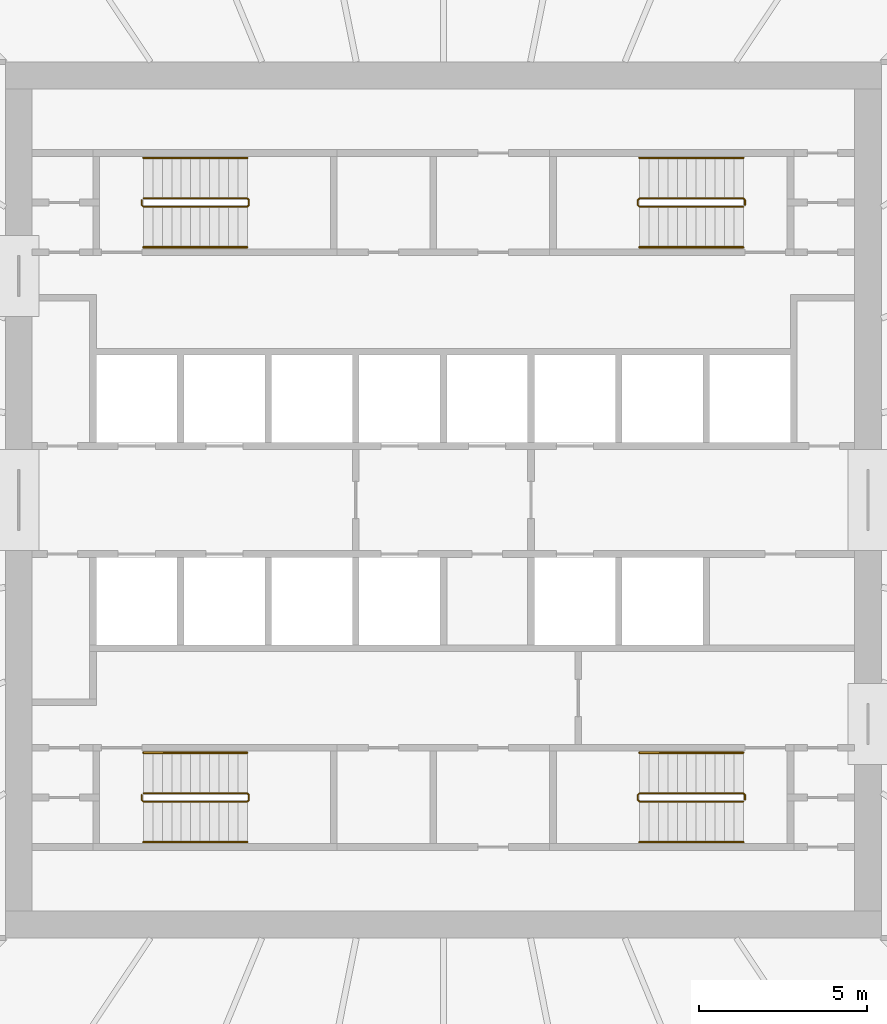
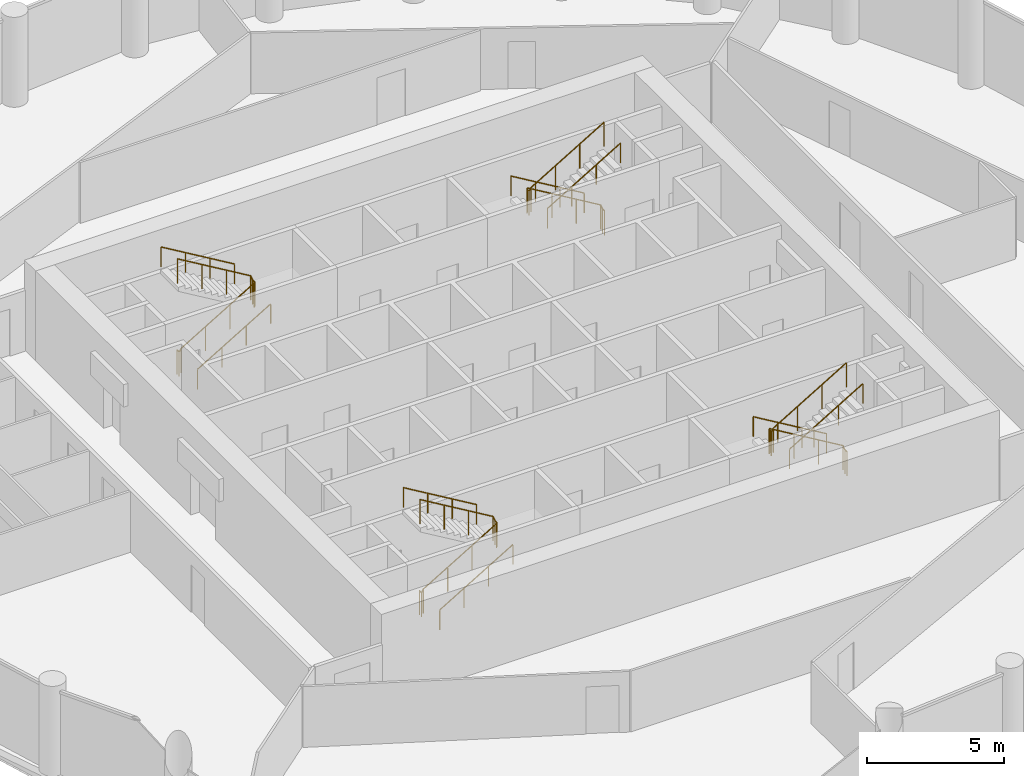
# One storey, part 8 of 8: 12 railings.
"""IFC4 building model written with IfcOpenShell, lengths in metres."""

from ifc_helpers import new_model, si_unit, direction, frame, origin, origin_2d, place, context, subcontext, project, spatial, circle, extrude, material, type_object, element, save


model = new_model("IFC4")

# Units and contexts
model_context = context("Model", 3, precision=1e-05, world=origin(), true_north=direction((0.0, 1.0)))
body_context = subcontext(model_context, "Body", "Model", "MODEL_VIEW")
ifc_project = project(units=[si_unit("LENGTHUNIT", "METRE"), si_unit("AREAUNIT", "SQUARE_METRE"), si_unit("VOLUMEUNIT", "CUBIC_METRE"), si_unit("PLANEANGLEUNIT", "RADIAN"), si_unit("MASSUNIT", "GRAM", prefix="KILO")], contexts=[model_context])

# Site, building, storey
site_placement = place(None, origin())
site = spatial("IfcSite", under=ifc_project, at=site_placement, CompositionType="ELEMENT")
building_placement = place(site_placement, origin())
building = spatial("IfcBuilding", under=site, at=building_placement, Name="Corvane Civic Tower", CompositionType="ELEMENT")
storey_placement = place(building_placement, frame((0.0, 0.0, 237.5)))
storey = spatial("IfcBuildingStorey", under=building, at=storey_placement, Name="L56", CompositionType="ELEMENT", Elevation=237.5)

# Railings
ifc_material_1 = material(Name="Steel ASTM A572 Gr 50", Category="steel")
railing_type_1 = type_object("IfcRailingType", Name="ST-GUARD-1100", PredefinedType="GUARDRAIL", material=ifc_material_1)
railing_1_placement = place(storey_placement, frame((8.949951171875, 8.75, 0.0)))
element("IfcRailing", 1, at=railing_1_placement, inside=storey, type_object=railing_type_1, Name="L56 ST1 stair guard 1", PredefinedType="GUARDRAIL", context=body_context, shape_type="SweptSolid", body=[
    extrude(circle(Radius=0.02392578125, at=origin_2d()), frame((0.0, 0.0, 1.076171875), z_axis=(0.0, 1.0, 0.0), x_axis=(-1.0, 0.0, 0.0)), (0.0, 0.0, 1.0), 0.14990234375),
    extrude(circle(Radius=0.02392578125, at=origin_2d()), frame((0.0, 0.14990234375, 1.076171875), z_axis=(-0.27628659633, 0.27628659633, 0.920506074601), x_axis=(-0.707106781187, -0.707106781187, 0.0)), (0.0, 0.0, 1.0), 0.18115234375),
    extrude(circle(Radius=0.02392578125, at=origin_2d()), frame((-0.050048828125, 0.199951171875, 1.24267578125), z_axis=(-0.859290745958, 0.0, 0.51148745235), x_axis=(0.0, -1.0, 0.0)), (0.0, 0.0, 1.0), 3.584228515625),
    extrude(circle(Radius=0.02392578125, at=origin_2d()), frame((-3.1298828125, 0.199951171875, 3.076171875), z_axis=(-0.707106781187, -0.707106781187, 0.0), x_axis=(0.707106781187, -0.707106781187, 0.0)), (0.0, 0.0, 1.0), 0.07080078125),
    extrude(circle(Radius=0.02392578125, at=origin_2d()), frame((-3.179931640625, 0.14990234375, 3.076171875), z_axis=(0.0, -1.0, 0.0), x_axis=(1.0, 0.0, 0.0)), (0.0, 0.0, 1.0), 0.14990234375),
    extrude(circle(Radius=0.02392578125, at=origin_2d()), frame((-3.179931640625, 0.0, 3.076171875), z_axis=(0.27628659633, -0.27628659633, 0.920506074601), x_axis=(0.707106781187, 0.707106781187, 0.0)), (0.0, 0.0, 1.0), 0.18115234375),
    extrude(circle(Radius=0.02392578125, at=origin_2d()), frame((-3.1298828125, -0.050048828125, 3.24267578125), z_axis=(0.859290745958, 0.0, 0.51148745235), x_axis=(0.0, 1.0, 0.0)), (0.0, 0.0, 1.0), 3.584228515625),
    extrude(circle(Radius=0.02099609375, at=origin_2d()), origin(), (0.0, 0.0, 1.0), 1.052001953125),
    extrude(circle(Radius=0.02099609375, at=origin_2d()), frame((0.0, 0.14990234375, 0.0)), (0.0, 0.0, 1.0), 1.052001953125),
    extrude(circle(Radius=0.02099609375, at=origin_2d()), frame((-0.050048828125, 0.199951171875, 0.166748046875)), (0.0, 0.0, 1.0), 1.052001953125),
    extrude(circle(Radius=0.02099609375, at=origin_2d()), frame((-1.07666015625, 0.199951171875, 0.77783203125)), (0.0, 0.0, 1.0), 1.052001953125),
    extrude(circle(Radius=0.02099609375, at=origin_2d()), frame((-2.103271484375, 0.199951171875, 1.388916015625)), (0.0, 0.0, 1.0), 1.052001953125),
    extrude(circle(Radius=0.02099609375, at=origin_2d()), frame((-3.1298828125, 0.199951171875, 2.0)), (0.0, 0.0, 1.0), 1.052001953125),
    extrude(circle(Radius=0.02099609375, at=origin_2d()), frame((-3.179931640625, 0.14990234375, 2.0)), (0.0, 0.0, 1.0), 1.052001953125),
    extrude(circle(Radius=0.02099609375, at=origin_2d()), frame((-3.179931640625, 0.0, 2.0)), (0.0, 0.0, 1.0), 1.052001953125),
    extrude(circle(Radius=0.02099609375, at=origin_2d()), frame((-3.1298828125, -0.050048828125, 2.166748046875)), (0.0, 0.0, 1.0), 1.052001953125),
    extrude(circle(Radius=0.02099609375, at=origin_2d()), frame((-2.103271484375, -0.050048828125, 2.77783203125)), (0.0, 0.0, 1.0), 1.052001953125),
    extrude(circle(Radius=0.02099609375, at=origin_2d()), frame((-1.07666015625, -0.050048828125, 3.388916015625)), (0.0, 0.0, 1.0), 1.052001953125),
    extrude(circle(Radius=0.02099609375, at=origin_2d()), frame((-0.050048828125, -0.050048828125, 4.0)), (0.0, 0.0, 1.0), 1.052001953125),
])
railing_2_placement = place(storey_placement, frame((8.949951171875, -8.89990234375, 0.0)))
element("IfcRailing", 2, at=railing_2_placement, inside=storey, type_object=railing_type_1, Name="L56 ST2 stair guard 1", PredefinedType="GUARDRAIL", context=body_context, shape_type="SweptSolid", body=[
    extrude(circle(Radius=0.02392578125, at=origin_2d()), frame((0.0, 0.0, 1.076171875), z_axis=(0.0, 1.0, 0.0), x_axis=(-1.0, 0.0, 0.0)), (0.0, 0.0, 1.0), 0.14990234375),
    extrude(circle(Radius=0.02392578125, at=origin_2d()), frame((0.0, 0.14990234375, 1.076171875), z_axis=(-0.27628659633, 0.27628659633, 0.920506074601), x_axis=(-0.707106781187, -0.707106781187, 0.0)), (0.0, 0.0, 1.0), 0.18115234375),
    extrude(circle(Radius=0.02392578125, at=origin_2d()), frame((-0.050048828125, 0.199951171875, 1.24267578125), z_axis=(-0.859290745958, 0.0, 0.51148745235), x_axis=(0.0, -1.0, 0.0)), (0.0, 0.0, 1.0), 3.584228515625),
    extrude(circle(Radius=0.02392578125, at=origin_2d()), frame((-3.1298828125, 0.199951171875, 3.076171875), z_axis=(-0.707106781187, -0.707106781187, 0.0), x_axis=(0.707106781187, -0.707106781187, 0.0)), (0.0, 0.0, 1.0), 0.07080078125),
    extrude(circle(Radius=0.02392578125, at=origin_2d()), frame((-3.179931640625, 0.14990234375, 3.076171875), z_axis=(0.0, -1.0, 0.0), x_axis=(1.0, 0.0, 0.0)), (0.0, 0.0, 1.0), 0.14990234375),
    extrude(circle(Radius=0.02392578125, at=origin_2d()), frame((-3.179931640625, 0.0, 3.076171875), z_axis=(0.27628659633, -0.27628659633, 0.920506074601), x_axis=(0.707106781187, 0.707106781187, 0.0)), (0.0, 0.0, 1.0), 0.18115234375),
    extrude(circle(Radius=0.02392578125, at=origin_2d()), frame((-3.1298828125, -0.050048828125, 3.24267578125), z_axis=(0.859290745958, 0.0, 0.51148745235), x_axis=(0.0, 1.0, 0.0)), (0.0, 0.0, 1.0), 3.584228515625),
    extrude(circle(Radius=0.02099609375, at=origin_2d()), origin(), (0.0, 0.0, 1.0), 1.052001953125),
    extrude(circle(Radius=0.02099609375, at=origin_2d()), frame((0.0, 0.14990234375, 0.0)), (0.0, 0.0, 1.0), 1.052001953125),
    extrude(circle(Radius=0.02099609375, at=origin_2d()), frame((-0.050048828125, 0.199951171875, 0.166748046875)), (0.0, 0.0, 1.0), 1.052001953125),
    extrude(circle(Radius=0.02099609375, at=origin_2d()), frame((-1.07666015625, 0.199951171875, 0.77783203125)), (0.0, 0.0, 1.0), 1.052001953125),
    extrude(circle(Radius=0.02099609375, at=origin_2d()), frame((-2.103271484375, 0.199951171875, 1.388916015625)), (0.0, 0.0, 1.0), 1.052001953125),
    extrude(circle(Radius=0.02099609375, at=origin_2d()), frame((-3.1298828125, 0.199951171875, 2.0)), (0.0, 0.0, 1.0), 1.052001953125),
    extrude(circle(Radius=0.02099609375, at=origin_2d()), frame((-3.179931640625, 0.14990234375, 2.0)), (0.0, 0.0, 1.0), 1.052001953125),
    extrude(circle(Radius=0.02099609375, at=origin_2d()), frame((-3.179931640625, 0.0, 2.0)), (0.0, 0.0, 1.0), 1.052001953125),
    extrude(circle(Radius=0.02099609375, at=origin_2d()), frame((-3.1298828125, -0.050048828125, 2.166748046875)), (0.0, 0.0, 1.0), 1.052001953125),
    extrude(circle(Radius=0.02099609375, at=origin_2d()), frame((-2.103271484375, -0.050048828125, 2.77783203125)), (0.0, 0.0, 1.0), 1.052001953125),
    extrude(circle(Radius=0.02099609375, at=origin_2d()), frame((-1.07666015625, -0.050048828125, 3.388916015625)), (0.0, 0.0, 1.0), 1.052001953125),
    extrude(circle(Radius=0.02099609375, at=origin_2d()), frame((-0.050048828125, -0.050048828125, 4.0)), (0.0, 0.0, 1.0), 1.052001953125),
])
railing_3_placement = place(storey_placement, frame((-8.949951171875, -8.75, 0.0)))
element("IfcRailing", 3, at=railing_3_placement, inside=storey, type_object=railing_type_1, Name="L56 ST3 stair guard 1", PredefinedType="GUARDRAIL", context=body_context, shape_type="SweptSolid", body=[
    extrude(circle(Radius=0.02392578125, at=origin_2d()), frame((0.0, 0.0, 1.076171875), z_axis=(0.0, -1.0, 0.0), x_axis=(1.0, 0.0, 0.0)), (0.0, 0.0, 1.0), 0.14990234375),
    extrude(circle(Radius=0.02392578125, at=origin_2d()), frame((0.0, -0.14990234375, 1.076171875), z_axis=(0.27628659633, -0.27628659633, 0.920506074601), x_axis=(0.707106781187, 0.707106781187, 0.0)), (0.0, 0.0, 1.0), 0.18115234375),
    extrude(circle(Radius=0.02392578125, at=origin_2d()), frame((0.050048828125, -0.199951171875, 1.24267578125), z_axis=(0.859290745958, 0.0, 0.51148745235), x_axis=(0.0, 1.0, 0.0)), (0.0, 0.0, 1.0), 3.584228515625),
    extrude(circle(Radius=0.02392578125, at=origin_2d()), frame((3.1298828125, -0.199951171875, 3.076171875), z_axis=(0.707106781187, 0.707106781187, 0.0), x_axis=(-0.707106781187, 0.707106781187, 0.0)), (0.0, 0.0, 1.0), 0.07080078125),
    extrude(circle(Radius=0.02392578125, at=origin_2d()), frame((3.179931640625, -0.14990234375, 3.076171875), z_axis=(0.0, 1.0, 0.0), x_axis=(-1.0, 0.0, 0.0)), (0.0, 0.0, 1.0), 0.14990234375),
    extrude(circle(Radius=0.02392578125, at=origin_2d()), frame((3.179931640625, 0.0, 3.076171875), z_axis=(-0.27628659633, 0.27628659633, 0.920506074601), x_axis=(-0.707106781187, -0.707106781187, 0.0)), (0.0, 0.0, 1.0), 0.18115234375),
    extrude(circle(Radius=0.02392578125, at=origin_2d()), frame((3.1298828125, 0.050048828125, 3.24267578125), z_axis=(-0.859290745958, 0.0, 0.51148745235), x_axis=(0.0, -1.0, 0.0)), (0.0, 0.0, 1.0), 3.584228515625),
    extrude(circle(Radius=0.02099609375, at=origin_2d()), origin(), (0.0, 0.0, 1.0), 1.052001953125),
    extrude(circle(Radius=0.02099609375, at=origin_2d()), frame((0.0, -0.14990234375, 0.0)), (0.0, 0.0, 1.0), 1.052001953125),
    extrude(circle(Radius=0.02099609375, at=origin_2d()), frame((0.050048828125, -0.199951171875, 0.166748046875)), (0.0, 0.0, 1.0), 1.052001953125),
    extrude(circle(Radius=0.02099609375, at=origin_2d()), frame((1.07666015625, -0.199951171875, 0.77783203125)), (0.0, 0.0, 1.0), 1.052001953125),
    extrude(circle(Radius=0.02099609375, at=origin_2d()), frame((2.103271484375, -0.199951171875, 1.388916015625)), (0.0, 0.0, 1.0), 1.052001953125),
    extrude(circle(Radius=0.02099609375, at=origin_2d()), frame((3.1298828125, -0.199951171875, 2.0)), (0.0, 0.0, 1.0), 1.052001953125),
    extrude(circle(Radius=0.02099609375, at=origin_2d()), frame((3.179931640625, -0.14990234375, 2.0)), (0.0, 0.0, 1.0), 1.052001953125),
    extrude(circle(Radius=0.02099609375, at=origin_2d()), frame((3.179931640625, 0.0, 2.0)), (0.0, 0.0, 1.0), 1.052001953125),
    extrude(circle(Radius=0.02099609375, at=origin_2d()), frame((3.1298828125, 0.050048828125, 2.166748046875)), (0.0, 0.0, 1.0), 1.052001953125),
    extrude(circle(Radius=0.02099609375, at=origin_2d()), frame((2.103271484375, 0.050048828125, 2.77783203125)), (0.0, 0.0, 1.0), 1.052001953125),
    extrude(circle(Radius=0.02099609375, at=origin_2d()), frame((1.07666015625, 0.050048828125, 3.388916015625)), (0.0, 0.0, 1.0), 1.052001953125),
    extrude(circle(Radius=0.02099609375, at=origin_2d()), frame((0.050048828125, 0.050048828125, 4.0)), (0.0, 0.0, 1.0), 1.052001953125),
])
railing_4_placement = place(storey_placement, frame((-8.949951171875, 8.89990234375, 0.0)))
element("IfcRailing", 4, at=railing_4_placement, inside=storey, type_object=railing_type_1, Name="L56 ST4 stair guard 1", PredefinedType="GUARDRAIL", context=body_context, shape_type="SweptSolid", body=[
    extrude(circle(Radius=0.02392578125, at=origin_2d()), frame((0.0, 0.0, 1.076171875), z_axis=(0.0, -1.0, 0.0), x_axis=(1.0, 0.0, 0.0)), (0.0, 0.0, 1.0), 0.14990234375),
    extrude(circle(Radius=0.02392578125, at=origin_2d()), frame((0.0, -0.14990234375, 1.076171875), z_axis=(0.27628659633, -0.27628659633, 0.920506074601), x_axis=(0.707106781187, 0.707106781187, 0.0)), (0.0, 0.0, 1.0), 0.18115234375),
    extrude(circle(Radius=0.02392578125, at=origin_2d()), frame((0.050048828125, -0.199951171875, 1.24267578125), z_axis=(0.859290745958, 0.0, 0.51148745235), x_axis=(0.0, 1.0, 0.0)), (0.0, 0.0, 1.0), 3.584228515625),
    extrude(circle(Radius=0.02392578125, at=origin_2d()), frame((3.1298828125, -0.199951171875, 3.076171875), z_axis=(0.707106781187, 0.707106781187, 0.0), x_axis=(-0.707106781187, 0.707106781187, 0.0)), (0.0, 0.0, 1.0), 0.07080078125),
    extrude(circle(Radius=0.02392578125, at=origin_2d()), frame((3.179931640625, -0.14990234375, 3.076171875), z_axis=(0.0, 1.0, 0.0), x_axis=(-1.0, 0.0, 0.0)), (0.0, 0.0, 1.0), 0.14990234375),
    extrude(circle(Radius=0.02392578125, at=origin_2d()), frame((3.179931640625, 0.0, 3.076171875), z_axis=(-0.27628659633, 0.27628659633, 0.920506074601), x_axis=(-0.707106781187, -0.707106781187, 0.0)), (0.0, 0.0, 1.0), 0.18115234375),
    extrude(circle(Radius=0.02392578125, at=origin_2d()), frame((3.1298828125, 0.050048828125, 3.24267578125), z_axis=(-0.859290745958, 0.0, 0.51148745235), x_axis=(0.0, -1.0, 0.0)), (0.0, 0.0, 1.0), 3.584228515625),
    extrude(circle(Radius=0.02099609375, at=origin_2d()), origin(), (0.0, 0.0, 1.0), 1.052001953125),
    extrude(circle(Radius=0.02099609375, at=origin_2d()), frame((0.0, -0.14990234375, 0.0)), (0.0, 0.0, 1.0), 1.052001953125),
    extrude(circle(Radius=0.02099609375, at=origin_2d()), frame((0.050048828125, -0.199951171875, 0.166748046875)), (0.0, 0.0, 1.0), 1.052001953125),
    extrude(circle(Radius=0.02099609375, at=origin_2d()), frame((1.07666015625, -0.199951171875, 0.77783203125)), (0.0, 0.0, 1.0), 1.052001953125),
    extrude(circle(Radius=0.02099609375, at=origin_2d()), frame((2.103271484375, -0.199951171875, 1.388916015625)), (0.0, 0.0, 1.0), 1.052001953125),
    extrude(circle(Radius=0.02099609375, at=origin_2d()), frame((3.1298828125, -0.199951171875, 2.0)), (0.0, 0.0, 1.0), 1.052001953125),
    extrude(circle(Radius=0.02099609375, at=origin_2d()), frame((3.179931640625, -0.14990234375, 2.0)), (0.0, 0.0, 1.0), 1.052001953125),
    extrude(circle(Radius=0.02099609375, at=origin_2d()), frame((3.179931640625, 0.0, 2.0)), (0.0, 0.0, 1.0), 1.052001953125),
    extrude(circle(Radius=0.02099609375, at=origin_2d()), frame((3.1298828125, 0.050048828125, 2.166748046875)), (0.0, 0.0, 1.0), 1.052001953125),
    extrude(circle(Radius=0.02099609375, at=origin_2d()), frame((2.103271484375, 0.050048828125, 2.77783203125)), (0.0, 0.0, 1.0), 1.052001953125),
    extrude(circle(Radius=0.02099609375, at=origin_2d()), frame((1.07666015625, 0.050048828125, 3.388916015625)), (0.0, 0.0, 1.0), 1.052001953125),
    extrude(circle(Radius=0.02099609375, at=origin_2d()), frame((0.050048828125, 0.050048828125, 4.0)), (0.0, 0.0, 1.0), 1.052001953125),
])
ifc_material_2 = material(Name="Steel ASTM A572 Gr 50", Category="steel")
railing_type_2 = type_object("IfcRailingType", Name="ST-HANDRAIL-900", PredefinedType="HANDRAIL", material=ifc_material_2)
railing_5_placement = place(storey_placement, frame((8.89990234375, 10.14990234375, 0.166748046875)))
element("IfcRailing", 5, at=railing_5_placement, inside=storey, type_object=railing_type_2, Name="L56 ST1 stair handrail 1", PredefinedType="HANDRAIL", context=body_context, shape_type="SweptSolid", body=[
    extrude(circle(Radius=0.02392578125, at=origin_2d()), frame((0.0, 0.0, 0.8759765625), z_axis=(-0.859290745958, 0.0, 0.51148745235), x_axis=(0.0, -1.0, 0.0)), (0.0, 0.0, 1.0), 3.584228515625),
    extrude(circle(Radius=0.02099609375, at=origin_2d()), origin(), (0.0, 0.0, 1.0), 0.851806640625),
    extrude(circle(Radius=0.02099609375, at=origin_2d()), frame((-1.026611328125, 0.0, 0.611083984375)), (0.0, 0.0, 1.0), 0.851806640625),
    extrude(circle(Radius=0.02099609375, at=origin_2d()), frame((-2.05322265625, 0.0, 1.22216796875)), (0.0, 0.0, 1.0), 0.851806640625),
    extrude(circle(Radius=0.02099609375, at=origin_2d()), frame((-3.079833984375, 0.0, 1.833251953125)), (0.0, 0.0, 1.0), 0.851806640625),
])
railing_6_placement = place(storey_placement, frame((5.820068359375, 7.5, 2.166748046875)))
element("IfcRailing", 6, at=railing_6_placement, inside=storey, type_object=railing_type_2, Name="L56 ST1 stair handrail 2", PredefinedType="HANDRAIL", context=body_context, shape_type="SweptSolid", body=[
    extrude(circle(Radius=0.02392578125, at=origin_2d()), frame((0.0, 0.0, 0.8759765625), z_axis=(0.859290745958, 0.0, 0.51148745235), x_axis=(0.0, 1.0, 0.0)), (0.0, 0.0, 1.0), 3.584228515625),
    extrude(circle(Radius=0.02099609375, at=origin_2d()), origin(), (0.0, 0.0, 1.0), 0.851806640625),
    extrude(circle(Radius=0.02099609375, at=origin_2d()), frame((1.026611328125, 0.0, 0.611083984375)), (0.0, 0.0, 1.0), 0.851806640625),
    extrude(circle(Radius=0.02099609375, at=origin_2d()), frame((2.05322265625, 0.0, 1.22216796875)), (0.0, 0.0, 1.0), 0.851806640625),
    extrude(circle(Radius=0.02099609375, at=origin_2d()), frame((3.079833984375, 0.0, 1.833251953125)), (0.0, 0.0, 1.0), 0.851806640625),
])
railing_7_placement = place(storey_placement, frame((8.89990234375, -7.5, 0.166748046875)))
element("IfcRailing", 7, at=railing_7_placement, inside=storey, type_object=railing_type_2, Name="L56 ST2 stair handrail 1", PredefinedType="HANDRAIL", context=body_context, shape_type="SweptSolid", body=[
    extrude(circle(Radius=0.02392578125, at=origin_2d()), frame((0.0, 0.0, 0.8759765625), z_axis=(-0.859290745958, 0.0, 0.51148745235), x_axis=(0.0, -1.0, 0.0)), (0.0, 0.0, 1.0), 3.584228515625),
    extrude(circle(Radius=0.02099609375, at=origin_2d()), origin(), (0.0, 0.0, 1.0), 0.851806640625),
    extrude(circle(Radius=0.02099609375, at=origin_2d()), frame((-1.026611328125, 0.0, 0.611083984375)), (0.0, 0.0, 1.0), 0.851806640625),
    extrude(circle(Radius=0.02099609375, at=origin_2d()), frame((-2.05322265625, 0.0, 1.22216796875)), (0.0, 0.0, 1.0), 0.851806640625),
    extrude(circle(Radius=0.02099609375, at=origin_2d()), frame((-3.079833984375, 0.0, 1.833251953125)), (0.0, 0.0, 1.0), 0.851806640625),
])
for number, where, name in (
    (8, (5.820068359375, -10.14990234375, 2.166748046875), "L56 ST2 stair handrail 2"),
    (9, (-8.89990234375, -10.14990234375, 0.166748046875), "L56 ST3 stair handrail 1"),
):
    element("IfcRailing", number, at=place(storey_placement, frame(where)), inside=storey, type_object=railing_type_2, Name=name, PredefinedType="HANDRAIL", context=body_context, shape_type="SweptSolid", body=[
        extrude(circle(Radius=0.02392578125, at=origin_2d()), frame((0.0, 0.0, 0.8759765625), z_axis=(0.859290745958, 0.0, 0.51148745235), x_axis=(0.0, 1.0, 0.0)), (0.0, 0.0, 1.0), 3.584228515625),
        extrude(circle(Radius=0.02099609375, at=origin_2d()), origin(), (0.0, 0.0, 1.0), 0.851806640625),
        extrude(circle(Radius=0.02099609375, at=origin_2d()), frame((1.026611328125, 0.0, 0.611083984375)), (0.0, 0.0, 1.0), 0.851806640625),
        extrude(circle(Radius=0.02099609375, at=origin_2d()), frame((2.05322265625, 0.0, 1.22216796875)), (0.0, 0.0, 1.0), 0.851806640625),
        extrude(circle(Radius=0.02099609375, at=origin_2d()), frame((3.079833984375, 0.0, 1.833251953125)), (0.0, 0.0, 1.0), 0.851806640625),
    ])
railing_8_placement = place(storey_placement, frame((-5.820068359375, -7.5, 2.166748046875)))
element("IfcRailing", 10, at=railing_8_placement, inside=storey, type_object=railing_type_2, Name="L56 ST3 stair handrail 2", PredefinedType="HANDRAIL", context=body_context, shape_type="SweptSolid", body=[
    extrude(circle(Radius=0.02392578125, at=origin_2d()), frame((0.0, 0.0, 0.8759765625), z_axis=(-0.859290745958, 0.0, 0.51148745235), x_axis=(0.0, -1.0, 0.0)), (0.0, 0.0, 1.0), 3.584228515625),
    extrude(circle(Radius=0.02099609375, at=origin_2d()), origin(), (0.0, 0.0, 1.0), 0.851806640625),
    extrude(circle(Radius=0.02099609375, at=origin_2d()), frame((-1.026611328125, 0.0, 0.611083984375)), (0.0, 0.0, 1.0), 0.851806640625),
    extrude(circle(Radius=0.02099609375, at=origin_2d()), frame((-2.05322265625, 0.0, 1.22216796875)), (0.0, 0.0, 1.0), 0.851806640625),
    extrude(circle(Radius=0.02099609375, at=origin_2d()), frame((-3.079833984375, 0.0, 1.833251953125)), (0.0, 0.0, 1.0), 0.851806640625),
])
railing_9_placement = place(storey_placement, frame((-8.89990234375, 7.5, 0.166748046875)))
element("IfcRailing", 11, at=railing_9_placement, inside=storey, type_object=railing_type_2, Name="L56 ST4 stair handrail 1", PredefinedType="HANDRAIL", context=body_context, shape_type="SweptSolid", body=[
    extrude(circle(Radius=0.02392578125, at=origin_2d()), frame((0.0, 0.0, 0.8759765625), z_axis=(0.859290745958, 0.0, 0.51148745235), x_axis=(0.0, 1.0, 0.0)), (0.0, 0.0, 1.0), 3.584228515625),
    extrude(circle(Radius=0.02099609375, at=origin_2d()), origin(), (0.0, 0.0, 1.0), 0.851806640625),
    extrude(circle(Radius=0.02099609375, at=origin_2d()), frame((1.026611328125, 0.0, 0.611083984375)), (0.0, 0.0, 1.0), 0.851806640625),
    extrude(circle(Radius=0.02099609375, at=origin_2d()), frame((2.05322265625, 0.0, 1.22216796875)), (0.0, 0.0, 1.0), 0.851806640625),
    extrude(circle(Radius=0.02099609375, at=origin_2d()), frame((3.079833984375, 0.0, 1.833251953125)), (0.0, 0.0, 1.0), 0.851806640625),
])
railing_10_placement = place(storey_placement, frame((-5.820068359375, 10.14990234375, 2.166748046875)))
element("IfcRailing", 12, at=railing_10_placement, inside=storey, type_object=railing_type_2, Name="L56 ST4 stair handrail 2", PredefinedType="HANDRAIL", context=body_context, shape_type="SweptSolid", body=[
    extrude(circle(Radius=0.02392578125, at=origin_2d()), frame((0.0, 0.0, 0.8759765625), z_axis=(-0.859290745958, 0.0, 0.51148745235), x_axis=(0.0, -1.0, 0.0)), (0.0, 0.0, 1.0), 3.584228515625),
    extrude(circle(Radius=0.02099609375, at=origin_2d()), origin(), (0.0, 0.0, 1.0), 0.851806640625),
    extrude(circle(Radius=0.02099609375, at=origin_2d()), frame((-1.026611328125, 0.0, 0.611083984375)), (0.0, 0.0, 1.0), 0.851806640625),
    extrude(circle(Radius=0.02099609375, at=origin_2d()), frame((-2.05322265625, 0.0, 1.22216796875)), (0.0, 0.0, 1.0), 0.851806640625),
    extrude(circle(Radius=0.02099609375, at=origin_2d()), frame((-3.079833984375, 0.0, 1.833251953125)), (0.0, 0.0, 1.0), 0.851806640625),
])

save(model, "model.ifc")
